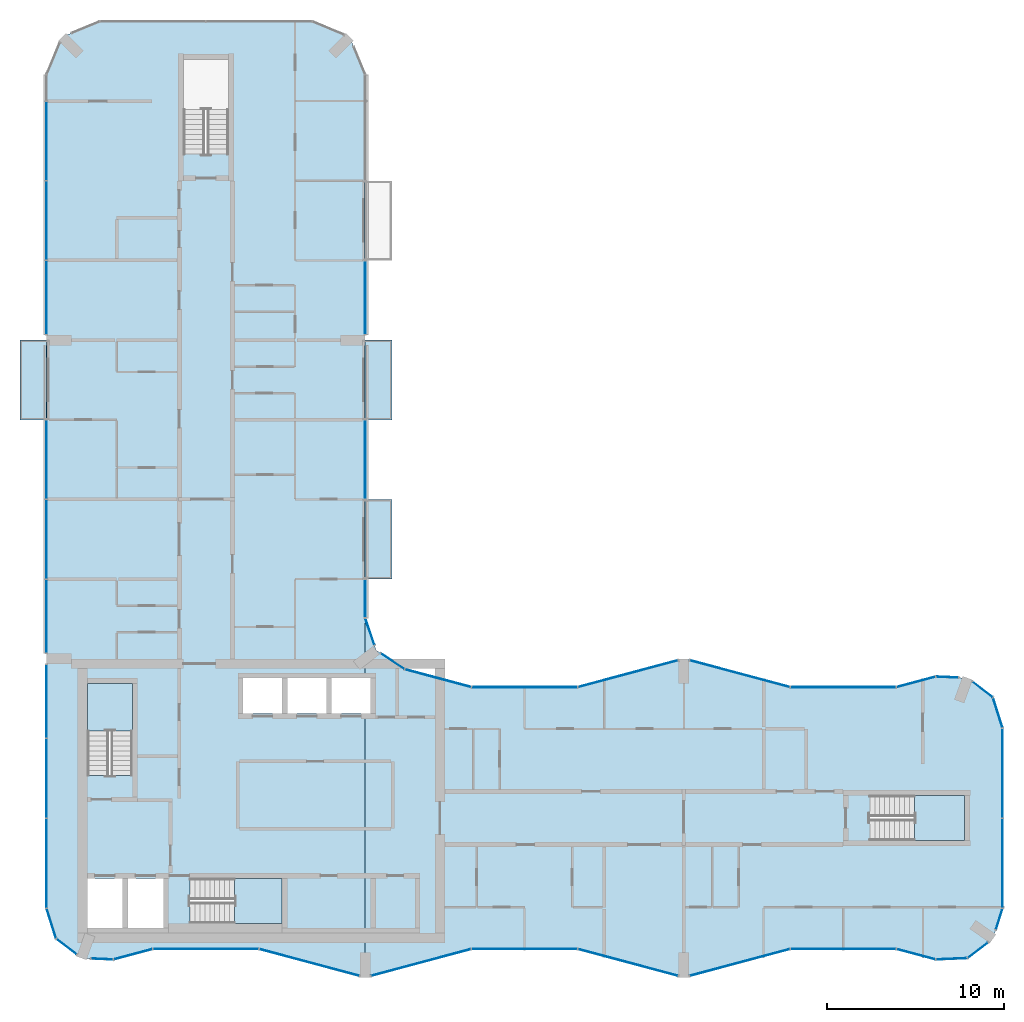
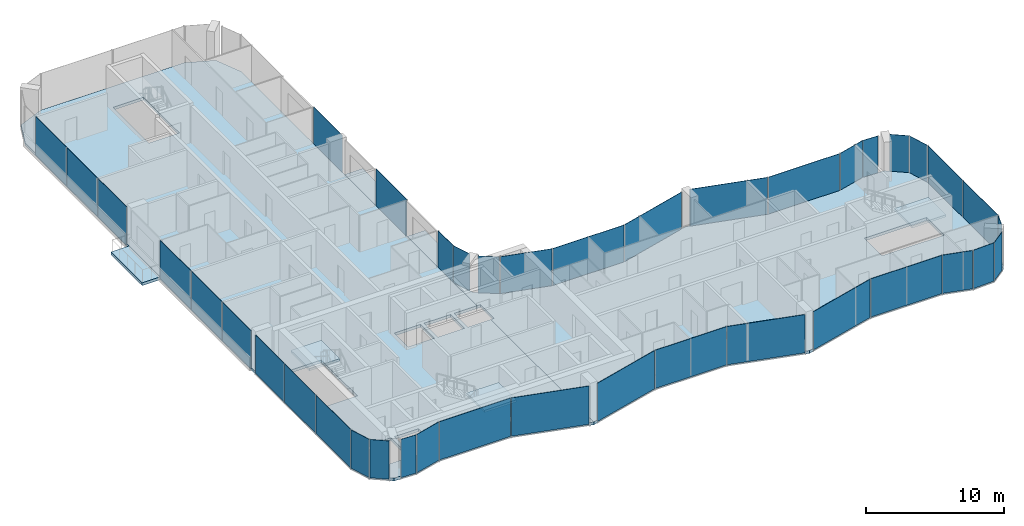
# One storey, part 8 of 15: 40 plates, 8 slabs, 36 elements without a shape of their own.
"""IFC4 building model written with IfcOpenShell, lengths in metres."""

from ifc_helpers import new_model, si_unit, direction, frame, origin, origin_2d, place, context, subcontext, project, spatial, polyline, rectangle, outline, extrude, material, layer, layer_set, type_object, element, aggregate, save


model = new_model("IFC4")

# Units and contexts
model_context = context("Model", 3, precision=1e-05, world=origin(), true_north=direction((0.0, 1.0)))
body_context = subcontext(model_context, "Body", "Model", "MODEL_VIEW")
ifc_project = project(units=[si_unit("LENGTHUNIT", "METRE"), si_unit("AREAUNIT", "SQUARE_METRE"), si_unit("VOLUMEUNIT", "CUBIC_METRE"), si_unit("PLANEANGLEUNIT", "RADIAN"), si_unit("MASSUNIT", "GRAM", prefix="KILO")], contexts=[model_context])

# Site, building, storey
site_placement = place(None, origin())
site = spatial("IfcSite", under=ifc_project, at=site_placement, CompositionType="ELEMENT")
building_placement = place(site_placement, origin())
building = spatial("IfcBuilding", under=site, at=building_placement, Name="Plateau Cross Towers", CompositionType="ELEMENT")
storey_placement = place(building_placement, frame((0.0, 0.0, 208.39990234375)))
storey = spatial("IfcBuildingStorey", under=building, at=storey_placement, Name="L54", CompositionType="ELEMENT", Elevation=208.39990234375)

# Slabs
ifc_material_1 = material(Name="Concrete C40/50", Category="concrete")
ifc_layer_1 = layer(ifc_material_1, 0.25)
ifc_layer_set_1 = layer_set([ifc_layer_1], Name="Concrete C40/50")
slab_type_1 = type_object("IfcSlabType", Name="Balcony slab 250", PredefinedType="FLOOR", material=ifc_layer_set_1)
slab_1_placement = place(storey_placement, frame((0.0, 0.0, -0.25)))
element("IfcSlab", 1, at=slab_1_placement, inside=storey, type_object=slab_type_1, Name="Balcony slab A-BAL-L54-01", PredefinedType="FLOOR", context=body_context, shape_type="SweptSolid", body=[
    extrude(outline(polyline([(0.0, 31.5), (0.0, 36.0), (-1.5, 36.0), (-1.5, 31.5), (0.0, 31.5)])), origin(), (0.0, 0.0, 1.0), 0.25),
])
slab_2_placement = place(storey_placement, frame((0.0, 0.0, -0.25)))
element("IfcSlab", 2, at=slab_2_placement, inside=storey, type_object=slab_type_1, Name="Balcony slab A-BAL-L54-02", PredefinedType="FLOOR", context=body_context, shape_type="SweptSolid", body=[
    extrude(outline(polyline([(19.5, 22.5), (19.5, 27.0), (18.0, 27.0), (18.0, 22.5), (19.5, 22.5)])), origin(), (0.0, 0.0, 1.0), 0.25),
])
slab_3_placement = place(storey_placement, frame((0.0, 0.0, -0.25)))
element("IfcSlab", 3, at=slab_3_placement, inside=storey, type_object=slab_type_1, Name="Balcony slab A-BAL-L54-03", PredefinedType="FLOOR", context=body_context, shape_type="SweptSolid", body=[
    extrude(outline(polyline([(19.5, 31.5), (19.5, 36.0), (18.0, 36.0), (18.0, 31.5), (19.5, 31.5)])), origin(), (0.0, 0.0, 1.0), 0.25),
])

# Curtain wall, plate
ifc_material_2 = material(Name="Dark low-iron glass", Category="glass")
ifc_layer_2 = layer(ifc_material_2, 0.239990234375)
ifc_layer_set_2 = layer_set([ifc_layer_2], Name="Dark low-iron glass")
curtain_wall_type_1 = type_object("IfcCurtainWallType", Name="Curtain wall flush unitised CW-B", PredefinedType="NOTDEFINED", material=ifc_layer_set_2)
curtain_wall_1_placement = place(storey_placement, origin())
curtain_wall_1 = element("IfcCurtainWall", 4, at=curtain_wall_1_placement, inside=storey, type_object=curtain_wall_type_1, Name="ENV/A/L54/A502_10", PredefinedType="NOTDEFINED")
ifc_layer_3 = layer(ifc_material_2, 0.031982421875)
ifc_layer_set_3 = layer_set([ifc_layer_3], Name="Dark low-iron glass")
plate_type_1 = type_object("IfcPlateType", Name="Glass panel 32 flush unitised", PredefinedType="CURTAIN_PANEL", material=ifc_layer_set_3)
plate_1_placement = place(storey_placement, frame((51.125, 1.05078125, -0.1298828125), z_axis=(0.0, 0.0, 1.0), x_axis=(0.999043701491, 0.043722791671, 0.0)))
plate_1 = element("IfcPlate", 5, at=plate_1_placement, type_object=plate_type_1, Name="CW-B panel 1", PredefinedType="CURTAIN_PANEL", context=body_context, shape_type="SweptSolid", body=[
    extrude(rectangle(XDim=1.744140625, YDim=0.031982421875, at=origin_2d()), origin(), (0.0, 0.0, 1.0), 3.3798828125),
])
aggregate(curtain_wall_1, [plate_1])

curtain_wall_2_placement = place(storey_placement, origin())
curtain_wall_2 = element("IfcCurtainWall", 6, at=curtain_wall_2_placement, inside=storey, type_object=curtain_wall_type_1, Name="ENV/A/L54/A520_11", PredefinedType="NOTDEFINED")
plate_2_placement = place(storey_placement, frame((52.60986328125, 1.5380859375, -0.1298828125), z_axis=(0.0, 0.0, 1.0), x_axis=(0.793315514529, 0.608810721331, 0.0)))
plate_2 = element("IfcPlate", 7, at=plate_2_placement, type_object=plate_type_1, Name="CW-B panel 1", PredefinedType="CURTAIN_PANEL", context=body_context, shape_type="SweptSolid", body=[
    extrude(rectangle(XDim=1.41162109375, YDim=0.031982421875, at=origin_2d()), origin(), (0.0, 0.0, 1.0), 3.3798828125),
])
aggregate(curtain_wall_2, [plate_2])

curtain_wall_3_placement = place(storey_placement, origin())
curtain_wall_3 = element("IfcCurtainWall", 8, at=curtain_wall_3_placement, inside=storey, type_object=curtain_wall_type_1, Name="ENV/A/L54/A536_27", PredefinedType="NOTDEFINED")
plate_3_placement = place(storey_placement, frame((53.805419921875, 3.292236328125, -0.1298828125), z_axis=(0.0, 0.0, 1.0), x_axis=(0.300686174994, 0.95372313811, 0.0)))
plate_3 = element("IfcPlate", 9, at=plate_3_placement, type_object=plate_type_1, Name="CW-B panel 1", PredefinedType="CURTAIN_PANEL", context=body_context, shape_type="SweptSolid", body=[
    extrude(rectangle(XDim=1.233642578125, YDim=0.031982421875, at=origin_2d()), origin(), (0.0, 0.0, 1.0), 3.3798828125),
])
aggregate(curtain_wall_3, [plate_3])

# Curtain wall, plates
curtain_wall_4_placement = place(storey_placement, origin())
curtain_wall_4 = element("IfcCurtainWall", 10, at=curtain_wall_4_placement, inside=storey, type_object=curtain_wall_type_1, Name="ENV/A/L54/A540_39", PredefinedType="NOTDEFINED")
plate_4_placement = place(storey_placement, frame((54.0, 6.45458984375, -0.1298828125), z_axis=(0.0, 0.0, 1.0), x_axis=(0.0, 1.0, 0.0)))
plate_4 = element("IfcPlate", 11, at=plate_4_placement, type_object=plate_type_1, Name="CW-B panel 1", PredefinedType="CURTAIN_PANEL", context=body_context, shape_type="SweptSolid", body=[
    extrude(rectangle(XDim=5.03076171875, YDim=0.031982421875, at=origin_2d()), origin(), (0.0, 0.0, 1.0), 3.3798828125),
])
plate_5_placement = place(storey_placement, frame((54.0, 11.54541015625, -0.1298828125), z_axis=(0.0, 0.0, 1.0), x_axis=(0.0, 1.0, 0.0)))
plate_5 = element("IfcPlate", 12, at=plate_5_placement, type_object=plate_type_1, Name="CW-B panel 2", PredefinedType="CURTAIN_PANEL", context=body_context, shape_type="SweptSolid", body=[
    extrude(rectangle(XDim=5.03076171875, YDim=0.031982421875, at=origin_2d()), origin(), (0.0, 0.0, 1.0), 3.3798828125),
])
aggregate(curtain_wall_4, [plate_4, plate_5])

# Curtain wall, plate
curtain_wall_5_placement = place(storey_placement, origin())
curtain_wall_5 = element("IfcCurtainWall", 13, at=curtain_wall_5_placement, inside=storey, type_object=curtain_wall_type_1, Name="ENV/A/L54/A540_141", PredefinedType="NOTDEFINED")
plate_6_placement = place(storey_placement, frame((53.728759765625, 14.951171875, -0.1298828125), z_axis=(0.0, 0.0, 1.0), x_axis=(-0.300686174994, 0.95372313811, 0.0)))
plate_6 = element("IfcPlate", 14, at=plate_6_placement, type_object=plate_type_1, Name="CW-B panel 1", PredefinedType="CURTAIN_PANEL", context=body_context, shape_type="SweptSolid", body=[
    extrude(rectangle(XDim=1.744140625, YDim=0.031982421875, at=origin_2d()), origin(), (0.0, 0.0, 1.0), 3.3798828125),
])
aggregate(curtain_wall_5, [plate_6])

curtain_wall_6_placement = place(storey_placement, origin())
curtain_wall_6 = element("IfcCurtainWall", 15, at=curtain_wall_6_placement, inside=storey, type_object=curtain_wall_type_1, Name="ENV/A/L54/A535_158", PredefinedType="NOTDEFINED")
plate_7_placement = place(storey_placement, frame((52.873779296875, 16.25927734375, -0.1298828125), z_axis=(0.0, 0.0, 1.0), x_axis=(-0.793315514529, 0.608810721331, 0.0)))
plate_7 = element("IfcPlate", 16, at=plate_7_placement, type_object=plate_type_1, Name="CW-B panel 1", PredefinedType="CURTAIN_PANEL", context=body_context, shape_type="SweptSolid", body=[
    extrude(rectangle(XDim=1.41162109375, YDim=0.031982421875, at=origin_2d()), origin(), (0.0, 0.0, 1.0), 3.3798828125),
])
aggregate(curtain_wall_6, [plate_7])

curtain_wall_7_placement = place(storey_placement, origin())
curtain_wall_7 = element("IfcCurtainWall", 17, at=curtain_wall_7_placement, inside=storey, type_object=curtain_wall_type_1, Name="ENV/A/L54/A515_169", PredefinedType="NOTDEFINED")
plate_8_placement = place(storey_placement, frame((50.8701171875, 16.96044921875, -0.1298828125), z_axis=(0.0, 0.0, 1.0), x_axis=(-0.999043701491, 0.043722791671, 0.0)))
plate_8 = element("IfcPlate", 18, at=plate_8_placement, type_object=plate_type_1, Name="CW-B panel 1", PredefinedType="CURTAIN_PANEL", context=body_context, shape_type="SweptSolid", body=[
    extrude(rectangle(XDim=1.233642578125, YDim=0.031982421875, at=origin_2d()), origin(), (0.0, 0.0, 1.0), 3.3798828125),
])
aggregate(curtain_wall_7, [plate_8])

curtain_wall_8_placement = place(storey_placement, origin())
curtain_wall_8 = element("IfcCurtainWall", 19, at=curtain_wall_8_placement, inside=storey, type_object=curtain_wall_type_1, Name="ENV/A/L54/A202_174", PredefinedType="NOTDEFINED")
plate_9_placement = place(storey_placement, frame((19.546630859375, 17.856689453125, -0.1298828125), z_axis=(0.0, 0.0, 1.0), x_axis=(-0.831521253329, 0.555492938984, 0.0)))
plate_9 = element("IfcPlate", 20, at=plate_9_placement, type_object=plate_type_1, Name="CW-B panel 1", PredefinedType="CURTAIN_PANEL", context=body_context, shape_type="SweptSolid", body=[
    extrude(rectangle(XDim=1.56884765625, YDim=0.031982421875, at=origin_2d()), origin(), (0.0, 0.0, 1.0), 3.3798828125),
])
aggregate(curtain_wall_8, [plate_9])

curtain_wall_9_placement = place(storey_placement, origin())
curtain_wall_9 = element("IfcCurtainWall", 21, at=curtain_wall_9_placement, inside=storey, type_object=curtain_wall_type_1, Name="ENV/A/L54/A185_188", PredefinedType="NOTDEFINED")
plate_10_placement = place(storey_placement, frame((18.26171875, 19.531005859375, -0.1298828125), z_axis=(0.0, 0.0, 1.0), x_axis=(-0.321469161574, 0.94692004845, 0.0)))
plate_10 = element("IfcPlate", 22, at=plate_10_placement, type_object=plate_type_1, Name="CW-B panel 1", PredefinedType="CURTAIN_PANEL", context=body_context, shape_type="SweptSolid", body=[
    extrude(rectangle(XDim=1.56884765625, YDim=0.031982421875, at=origin_2d()), origin(), (0.0, 0.0, 1.0), 3.3798828125),
])
aggregate(curtain_wall_9, [plate_10])

curtain_wall_10_placement = place(storey_placement, origin())
curtain_wall_10 = element("IfcCurtainWall", 23, at=curtain_wall_10_placement, inside=storey, type_object=curtain_wall_type_1, Name="ENV/A/L54/A180_203", PredefinedType="NOTDEFINED")
plate_11_placement = place(storey_placement, frame((18.0, 21.396240234375, -0.1298828125), z_axis=(0.0, 0.0, 1.0), x_axis=(0.0, 1.0, 0.0)))
plate_11 = element("IfcPlate", 24, at=plate_11_placement, type_object=plate_type_1, Name="CW-B panel 1", PredefinedType="CURTAIN_PANEL", context=body_context, shape_type="SweptSolid", body=[
    extrude(rectangle(XDim=2.127685546875, YDim=0.031982421875, at=origin_2d()), origin(), (0.0, 0.0, 1.0), 3.3798828125),
])
aggregate(curtain_wall_10, [plate_11])

curtain_wall_11_placement = place(storey_placement, origin())
curtain_wall_11 = element("IfcCurtainWall", 25, at=curtain_wall_11_placement, inside=storey, type_object=curtain_wall_type_1, Name="ENV/A/L54/A180_270", PredefinedType="NOTDEFINED")
plate_12_placement = place(storey_placement, frame((18.0, 29.25, -0.1298828125), z_axis=(0.0, 0.0, 1.0), x_axis=(0.0, 1.0, 0.0)))
plate_12 = element("IfcPlate", 26, at=plate_12_placement, type_object=plate_type_1, Name="CW-B panel 1", PredefinedType="CURTAIN_PANEL", context=body_context, shape_type="SweptSolid", body=[
    extrude(rectangle(XDim=4.419921875, YDim=0.031982421875, at=origin_2d()), origin(), (0.0, 0.0, 1.0), 3.3798828125),
])
aggregate(curtain_wall_11, [plate_12])

curtain_wall_12_placement = place(storey_placement, origin())
curtain_wall_12 = element("IfcCurtainWall", 27, at=curtain_wall_12_placement, inside=storey, type_object=curtain_wall_type_1, Name="ENV/A/L54/A180_363", PredefinedType="NOTDEFINED")
plate_13_placement = place(storey_placement, frame((18.0, 38.39501953125, -0.1298828125), z_axis=(0.0, 0.0, 1.0), x_axis=(0.0, 1.0, 0.0)))
plate_13 = element("IfcPlate", 28, at=plate_13_placement, type_object=plate_type_1, Name="CW-B panel 1", PredefinedType="CURTAIN_PANEL", context=body_context, shape_type="SweptSolid", body=[
    extrude(rectangle(XDim=4.1298828125, YDim=0.031982421875, at=origin_2d()), origin(), (0.0, 0.0, 1.0), 3.3798828125),
])
aggregate(curtain_wall_12, [plate_13])

# Curtain wall, plates
curtain_wall_13_placement = place(storey_placement, origin())
curtain_wall_13 = element("IfcCurtainWall", 29, at=curtain_wall_13_placement, inside=storey, type_object=curtain_wall_type_1, Name="ENV/A/L54/A0_510", PredefinedType="NOTDEFINED")
plate_14_placement = place(storey_placement, frame((0.0, 47.25, -0.1298828125), z_axis=(0.0, 0.0, 1.0), x_axis=(0.0, -1.0, 0.0)))
plate_14 = element("IfcPlate", 30, at=plate_14_placement, type_object=plate_type_1, Name="CW-B panel 2", PredefinedType="CURTAIN_PANEL", context=body_context, shape_type="SweptSolid", body=[
    extrude(rectangle(XDim=4.43994140625, YDim=0.031982421875, at=origin_2d()), origin(), (0.0, 0.0, 1.0), 3.3798828125),
])
plate_15_placement = place(storey_placement, frame((0.0, 42.75, -0.1298828125), z_axis=(0.0, 0.0, 1.0), x_axis=(0.0, -1.0, 0.0)))
plate_15 = element("IfcPlate", 31, at=plate_15_placement, type_object=plate_type_1, Name="CW-B panel 3", PredefinedType="CURTAIN_PANEL", context=body_context, shape_type="SweptSolid", body=[
    extrude(rectangle(XDim=4.43994140625, YDim=0.031982421875, at=origin_2d()), origin(), (0.0, 0.0, 1.0), 3.3798828125),
])
plate_16_placement = place(storey_placement, frame((0.0, 38.39990234375, -0.1298828125), z_axis=(0.0, 0.0, 1.0), x_axis=(0.0, -1.0, 0.0)))
plate_16 = element("IfcPlate", 32, at=plate_16_placement, type_object=plate_type_1, Name="CW-B panel 4", PredefinedType="CURTAIN_PANEL", context=body_context, shape_type="SweptSolid", body=[
    extrude(rectangle(XDim=4.139892578125, YDim=0.031982421875, at=origin_2d()), origin(), (0.0, 0.0, 1.0), 3.3798828125),
])
aggregate(curtain_wall_13, [plate_14, plate_15, plate_16])

curtain_wall_14_placement = place(storey_placement, origin())
curtain_wall_14 = element("IfcCurtainWall", 33, at=curtain_wall_14_placement, inside=storey, type_object=curtain_wall_type_1, Name="ENV/A/L54/A0_315", PredefinedType="NOTDEFINED")
plate_17_placement = place(storey_placement, frame((0.0, 29.2451171875, -0.1298828125), z_axis=(0.0, 0.0, 1.0), x_axis=(0.0, -1.0, 0.0)))
plate_17 = element("IfcPlate", 34, at=plate_17_placement, type_object=plate_type_1, Name="CW-B panel 1", PredefinedType="CURTAIN_PANEL", context=body_context, shape_type="SweptSolid", body=[
    extrude(rectangle(XDim=4.429931640625, YDim=0.031982421875, at=origin_2d()), origin(), (0.0, 0.0, 1.0), 3.3798828125),
])
plate_18_placement = place(storey_placement, frame((0.0, 24.75, -0.1298828125), z_axis=(0.0, 0.0, 1.0), x_axis=(0.0, -1.0, 0.0)))
plate_18 = element("IfcPlate", 35, at=plate_18_placement, type_object=plate_type_1, Name="CW-B panel 2", PredefinedType="CURTAIN_PANEL", context=body_context, shape_type="SweptSolid", body=[
    extrude(rectangle(XDim=4.43994140625, YDim=0.031982421875, at=origin_2d()), origin(), (0.0, 0.0, 1.0), 3.3798828125),
])
plate_19_placement = place(storey_placement, frame((0.0, 20.39990234375, -0.1298828125), z_axis=(0.0, 0.0, 1.0), x_axis=(0.0, -1.0, 0.0)))
plate_19 = element("IfcPlate", 36, at=plate_19_placement, type_object=plate_type_1, Name="CW-B panel 3", PredefinedType="CURTAIN_PANEL", context=body_context, shape_type="SweptSolid", body=[
    extrude(rectangle(XDim=4.139892578125, YDim=0.031982421875, at=origin_2d()), origin(), (0.0, 0.0, 1.0), 3.3798828125),
])
aggregate(curtain_wall_14, [plate_17, plate_18, plate_19])

curtain_wall_15_placement = place(storey_placement, origin())
curtain_wall_15 = element("IfcCurtainWall", 37, at=curtain_wall_15_placement, inside=storey, type_object=curtain_wall_type_1, Name="ENV/A/L54/A0_177", PredefinedType="NOTDEFINED")
plate_20_placement = place(storey_placement, frame((0.0, 15.60009765625, -0.1298828125), z_axis=(0.0, 0.0, 1.0), x_axis=(0.0, -1.0, 0.0)))
plate_20 = element("IfcPlate", 38, at=plate_20_placement, type_object=plate_type_1, Name="CW-B panel 1", PredefinedType="CURTAIN_PANEL", context=body_context, shape_type="SweptSolid", body=[
    extrude(rectangle(XDim=4.139892578125, YDim=0.031982421875, at=origin_2d()), origin(), (0.0, 0.0, 1.0), 3.3798828125),
])
plate_21_placement = place(storey_placement, frame((0.0, 11.25, -0.1298828125), z_axis=(0.0, 0.0, 1.0), x_axis=(0.0, -1.0, 0.0)))
plate_21 = element("IfcPlate", 39, at=plate_21_placement, type_object=plate_type_1, Name="CW-B panel 2", PredefinedType="CURTAIN_PANEL", context=body_context, shape_type="SweptSolid", body=[
    extrude(rectangle(XDim=4.43994140625, YDim=0.031982421875, at=origin_2d()), origin(), (0.0, 0.0, 1.0), 3.3798828125),
])
plate_22_placement = place(storey_placement, frame((0.0, 6.45458984375, -0.1298828125), z_axis=(0.0, 0.0, 1.0), x_axis=(0.0, -1.0, 0.0)))
plate_22 = element("IfcPlate", 40, at=plate_22_placement, type_object=plate_type_1, Name="CW-B panel 3", PredefinedType="CURTAIN_PANEL", context=body_context, shape_type="SweptSolid", body=[
    extrude(rectangle(XDim=5.03076171875, YDim=0.031982421875, at=origin_2d()), origin(), (0.0, 0.0, 1.0), 3.3798828125),
])
aggregate(curtain_wall_15, [plate_20, plate_21, plate_22])

# Curtain wall, plate
curtain_wall_16_placement = place(storey_placement, origin())
curtain_wall_16 = element("IfcCurtainWall", 41, at=curtain_wall_16_placement, inside=storey, type_object=curtain_wall_type_1, Name="ENV/A/L54/A0_39", PredefinedType="NOTDEFINED")
plate_23_placement = place(storey_placement, frame((0.271240234375, 3.048828125, -0.1298828125), z_axis=(0.0, 0.0, 1.0), x_axis=(0.300686174994, -0.95372313811, 0.0)))
plate_23 = element("IfcPlate", 42, at=plate_23_placement, type_object=plate_type_1, Name="CW-B panel 1", PredefinedType="CURTAIN_PANEL", context=body_context, shape_type="SweptSolid", body=[
    extrude(rectangle(XDim=1.744140625, YDim=0.031982421875, at=origin_2d()), origin(), (0.0, 0.0, 1.0), 3.3798828125),
])
aggregate(curtain_wall_16, [plate_23])

curtain_wall_17_placement = place(storey_placement, origin())
curtain_wall_17 = element("IfcCurtainWall", 43, at=curtain_wall_17_placement, inside=storey, type_object=curtain_wall_type_1, Name="ENV/A/L54/A5_22", PredefinedType="NOTDEFINED")
plate_24_placement = place(storey_placement, frame((1.126220703125, 1.74072265625, -0.1298828125), z_axis=(0.0, 0.0, 1.0), x_axis=(0.793315514529, -0.608810721331, 0.0)))
plate_24 = element("IfcPlate", 44, at=plate_24_placement, type_object=plate_type_1, Name="CW-B panel 1", PredefinedType="CURTAIN_PANEL", context=body_context, shape_type="SweptSolid", body=[
    extrude(rectangle(XDim=1.41162109375, YDim=0.031982421875, at=origin_2d()), origin(), (0.0, 0.0, 1.0), 3.3798828125),
])
aggregate(curtain_wall_17, [plate_24])

curtain_wall_18_placement = place(storey_placement, origin())
curtain_wall_18 = element("IfcCurtainWall", 45, at=curtain_wall_18_placement, inside=storey, type_object=curtain_wall_type_1, Name="ENV/A/L54/A25_11", PredefinedType="NOTDEFINED")
plate_25_placement = place(storey_placement, frame((3.1298828125, 1.03955078125, -0.1298828125), z_axis=(0.0, 0.0, 1.0), x_axis=(0.999043701491, -0.043722791671, 0.0)))
plate_25 = element("IfcPlate", 46, at=plate_25_placement, type_object=plate_type_1, Name="CW-B panel 1", PredefinedType="CURTAIN_PANEL", context=body_context, shape_type="SweptSolid", body=[
    extrude(rectangle(XDim=1.233642578125, YDim=0.031982421875, at=origin_2d()), origin(), (0.0, 0.0, 1.0), 3.3798828125),
])
aggregate(curtain_wall_18, [plate_25])

ifc_layer_4 = layer(ifc_material_2, 0.260009765625)
ifc_layer_set_4 = layer_set([ifc_layer_4], Name="Dark low-iron glass")
curtain_wall_type_2 = type_object("IfcCurtainWallType", Name="Curtain wall fluted unitised CW-A", PredefinedType="NOTDEFINED", material=ifc_layer_set_4)
curtain_wall_19_placement = place(storey_placement, origin())
curtain_wall_19 = element("IfcCurtainWall", 47, at=curtain_wall_19_placement, inside=storey, type_object=curtain_wall_type_2, Name="ENV/A/L54/A38_10", PredefinedType="NOTDEFINED")
ifc_layer_5 = layer(ifc_material_2, 0.035888671875)
ifc_layer_set_5 = layer_set([ifc_layer_5], Name="Dark low-iron glass")
plate_type_2 = type_object("IfcPlateType", Name="Glass panel 36 fluted unitised", PredefinedType="CURTAIN_PANEL", material=ifc_layer_set_5)
plate_26_placement = place(storey_placement, frame((4.887939453125, 1.30908203125, -0.1298828125), z_axis=(0.0, 0.0, 1.0), x_axis=(0.965957962328, 0.258699081978, 0.0)))
plate_26 = element("IfcPlate", 48, at=plate_26_placement, type_object=plate_type_2, Name="CW-A panel 1", PredefinedType="CURTAIN_PANEL", context=body_context, shape_type="SweptSolid", body=[
    extrude(rectangle(XDim=2.2421875, YDim=0.035888671875, at=origin_2d()), origin(), (0.0, 0.0, 1.0), 3.3798828125),
])
aggregate(curtain_wall_19, [plate_26])

curtain_wall_20_placement = place(storey_placement, origin())
curtain_wall_20 = element("IfcCurtainWall", 49, at=curtain_wall_20_placement, inside=storey, type_object=curtain_wall_type_2, Name="ENV/A/L54/A60_16", PredefinedType="NOTDEFINED")
plate_27_placement = place(storey_placement, frame((9.0, 1.60693359375, -0.1298828125), z_axis=(0.0, 0.0, 1.0), x_axis=(1.0, 0.0, 0.0)))
plate_27 = element("IfcPlate", 50, at=plate_27_placement, type_object=plate_type_2, Name="CW-A panel 1", PredefinedType="CURTAIN_PANEL", context=body_context, shape_type="SweptSolid", body=[
    extrude(rectangle(XDim=5.93994140625, YDim=0.035888671875, at=origin_2d()), origin(), (0.0, 0.0, 1.0), 3.3798828125),
])
aggregate(curtain_wall_20, [plate_27])

curtain_wall_21_placement = place(storey_placement, origin())
curtain_wall_21 = element("IfcCurtainWall", 51, at=curtain_wall_21_placement, inside=storey, type_object=curtain_wall_type_2, Name="ENV/A/L54/A120_16", PredefinedType="NOTDEFINED")
plate_28_placement = place(storey_placement, frame((14.841064453125, 0.845947265625, -0.1298828125), z_axis=(0.0, 0.0, 1.0), x_axis=(0.965957983404, -0.258699003279, 0.0)))
plate_28 = element("IfcPlate", 52, at=plate_28_placement, type_object=plate_type_2, Name="CW-A panel 1", PredefinedType="CURTAIN_PANEL", context=body_context, shape_type="SweptSolid", body=[
    extrude(rectangle(XDim=5.822265625, YDim=0.035888671875, at=origin_2d()), origin(), (0.0, 0.0, 1.0), 3.3798828125),
])
aggregate(curtain_wall_21, [plate_28])

curtain_wall_22_placement = place(storey_placement, origin())
curtain_wall_22 = element("IfcCurtainWall", 53, at=curtain_wall_22_placement, inside=storey, type_object=curtain_wall_type_2, Name="ENV/A/L54/A183_1", PredefinedType="NOTDEFINED")
plate_29_placement = place(storey_placement, frame((21.158935546875, 0.845947265625, -0.1298828125), z_axis=(0.0, 0.0, 1.0), x_axis=(0.965957983404, 0.258699003279, 0.0)))
plate_29 = element("IfcPlate", 54, at=plate_29_placement, type_object=plate_type_2, Name="CW-A panel 1", PredefinedType="CURTAIN_PANEL", context=body_context, shape_type="SweptSolid", body=[
    extrude(rectangle(XDim=5.822265625, YDim=0.035888671875, at=origin_2d()), origin(), (0.0, 0.0, 1.0), 3.3798828125),
])
aggregate(curtain_wall_22, [plate_29])

curtain_wall_23_placement = place(storey_placement, origin())
curtain_wall_23 = element("IfcCurtainWall", 55, at=curtain_wall_23_placement, inside=storey, type_object=curtain_wall_type_2, Name="ENV/A/L54/A240_16", PredefinedType="NOTDEFINED")
plate_30_placement = place(storey_placement, frame((27.0, 1.60693359375, -0.1298828125), z_axis=(0.0, 0.0, 1.0), x_axis=(1.0, 0.0, 0.0)))
plate_30 = element("IfcPlate", 56, at=plate_30_placement, type_object=plate_type_2, Name="CW-A panel 1", PredefinedType="CURTAIN_PANEL", context=body_context, shape_type="SweptSolid", body=[
    extrude(rectangle(XDim=5.93994140625, YDim=0.035888671875, at=origin_2d()), origin(), (0.0, 0.0, 1.0), 3.3798828125),
])
aggregate(curtain_wall_23, [plate_30])

curtain_wall_24_placement = place(storey_placement, origin())
curtain_wall_24 = element("IfcCurtainWall", 57, at=curtain_wall_24_placement, inside=storey, type_object=curtain_wall_type_2, Name="ENV/A/L54/A300_16", PredefinedType="NOTDEFINED")
plate_31_placement = place(storey_placement, frame((32.841064453125, 0.845947265625, -0.1298828125), z_axis=(0.0, 0.0, 1.0), x_axis=(0.965957983404, -0.258699003279, 0.0)))
plate_31 = element("IfcPlate", 58, at=plate_31_placement, type_object=plate_type_2, Name="CW-A panel 1", PredefinedType="CURTAIN_PANEL", context=body_context, shape_type="SweptSolid", body=[
    extrude(rectangle(XDim=5.822265625, YDim=0.035888671875, at=origin_2d()), origin(), (0.0, 0.0, 1.0), 3.3798828125),
])
aggregate(curtain_wall_24, [plate_31])

curtain_wall_25_placement = place(storey_placement, origin())
curtain_wall_25 = element("IfcCurtainWall", 59, at=curtain_wall_25_placement, inside=storey, type_object=curtain_wall_type_2, Name="ENV/A/L54/A363_1", PredefinedType="NOTDEFINED")
plate_32_placement = place(storey_placement, frame((39.158935546875, 0.845947265625, -0.1298828125), z_axis=(0.0, 0.0, 1.0), x_axis=(0.965957983404, 0.258699003279, 0.0)))
plate_32 = element("IfcPlate", 60, at=plate_32_placement, type_object=plate_type_2, Name="CW-A panel 1", PredefinedType="CURTAIN_PANEL", context=body_context, shape_type="SweptSolid", body=[
    extrude(rectangle(XDim=5.822265625, YDim=0.035888671875, at=origin_2d()), origin(), (0.0, 0.0, 1.0), 3.3798828125),
])
aggregate(curtain_wall_25, [plate_32])

curtain_wall_26_placement = place(storey_placement, origin())
curtain_wall_26 = element("IfcCurtainWall", 61, at=curtain_wall_26_placement, inside=storey, type_object=curtain_wall_type_2, Name="ENV/A/L54/A420_16", PredefinedType="NOTDEFINED")
plate_33_placement = place(storey_placement, frame((45.0, 1.60693359375, -0.1298828125), z_axis=(0.0, 0.0, 1.0), x_axis=(1.0, 0.0, 0.0)))
plate_33 = element("IfcPlate", 62, at=plate_33_placement, type_object=plate_type_2, Name="CW-A panel 1", PredefinedType="CURTAIN_PANEL", context=body_context, shape_type="SweptSolid", body=[
    extrude(rectangle(XDim=5.93994140625, YDim=0.035888671875, at=origin_2d()), origin(), (0.0, 0.0, 1.0), 3.3798828125),
])
aggregate(curtain_wall_26, [plate_33])

curtain_wall_27_placement = place(storey_placement, origin())
curtain_wall_27 = element("IfcCurtainWall", 63, at=curtain_wall_27_placement, inside=storey, type_object=curtain_wall_type_2, Name="ENV/A/L54/A480_16", PredefinedType="NOTDEFINED")
plate_34_placement = place(storey_placement, frame((49.112060546875, 1.30908203125, -0.1298828125), z_axis=(0.0, 0.0, 1.0), x_axis=(0.965957962328, -0.258699081978, 0.0)))
plate_34 = element("IfcPlate", 64, at=plate_34_placement, type_object=plate_type_2, Name="CW-A panel 1", PredefinedType="CURTAIN_PANEL", context=body_context, shape_type="SweptSolid", body=[
    extrude(rectangle(XDim=2.2421875, YDim=0.035888671875, at=origin_2d()), origin(), (0.0, 0.0, 1.0), 3.3798828125),
])
aggregate(curtain_wall_27, [plate_34])

curtain_wall_28_placement = place(storey_placement, origin())
curtain_wall_28 = element("IfcCurtainWall", 65, at=curtain_wall_28_placement, inside=storey, type_object=curtain_wall_type_2, Name="ENV/A/L54/A502_170", PredefinedType="NOTDEFINED")
plate_35_placement = place(storey_placement, frame((49.112060546875, 16.69091796875, -0.1298828125), z_axis=(0.0, 0.0, 1.0), x_axis=(-0.965957962328, -0.258699081978, 0.0)))
plate_35 = element("IfcPlate", 66, at=plate_35_placement, type_object=plate_type_2, Name="CW-A panel 1", PredefinedType="CURTAIN_PANEL", context=body_context, shape_type="SweptSolid", body=[
    extrude(rectangle(XDim=2.2421875, YDim=0.035888671875, at=origin_2d()), origin(), (0.0, 0.0, 1.0), 3.3798828125),
])
aggregate(curtain_wall_28, [plate_35])

curtain_wall_29_placement = place(storey_placement, origin())
curtain_wall_29 = element("IfcCurtainWall", 67, at=curtain_wall_29_placement, inside=storey, type_object=curtain_wall_type_2, Name="ENV/A/L54/A480_164", PredefinedType="NOTDEFINED")
plate_36_placement = place(storey_placement, frame((45.0, 16.39306640625, -0.1298828125), z_axis=(0.0, 0.0, 1.0), x_axis=(-1.0, 0.0, 0.0)))
plate_36 = element("IfcPlate", 68, at=plate_36_placement, type_object=plate_type_2, Name="CW-A panel 1", PredefinedType="CURTAIN_PANEL", context=body_context, shape_type="SweptSolid", body=[
    extrude(rectangle(XDim=5.93994140625, YDim=0.035888671875, at=origin_2d()), origin(), (0.0, 0.0, 1.0), 3.3798828125),
])
aggregate(curtain_wall_29, [plate_36])

curtain_wall_30_placement = place(storey_placement, origin())
curtain_wall_30 = element("IfcCurtainWall", 69, at=curtain_wall_30_placement, inside=storey, type_object=curtain_wall_type_2, Name="ENV/A/L54/A420_164", PredefinedType="NOTDEFINED")
plate_37_placement = place(storey_placement, frame((39.158935546875, 17.154052734375, -0.1298828125), z_axis=(0.0, 0.0, 1.0), x_axis=(-0.965957983404, 0.258699003279, 0.0)))
plate_37 = element("IfcPlate", 70, at=plate_37_placement, type_object=plate_type_2, Name="CW-A panel 1", PredefinedType="CURTAIN_PANEL", context=body_context, shape_type="SweptSolid", body=[
    extrude(rectangle(XDim=5.822265625, YDim=0.035888671875, at=origin_2d()), origin(), (0.0, 0.0, 1.0), 3.3798828125),
])
aggregate(curtain_wall_30, [plate_37])

curtain_wall_31_placement = place(storey_placement, origin())
curtain_wall_31 = element("IfcCurtainWall", 71, at=curtain_wall_31_placement, inside=storey, type_object=curtain_wall_type_2, Name="ENV/A/L54/A357_179", PredefinedType="NOTDEFINED")
plate_38_placement = place(storey_placement, frame((32.841064453125, 17.154052734375, -0.1298828125), z_axis=(0.0, 0.0, 1.0), x_axis=(-0.965957983404, -0.258699003279, 0.0)))
plate_38 = element("IfcPlate", 72, at=plate_38_placement, type_object=plate_type_2, Name="CW-A panel 1", PredefinedType="CURTAIN_PANEL", context=body_context, shape_type="SweptSolid", body=[
    extrude(rectangle(XDim=5.822265625, YDim=0.035888671875, at=origin_2d()), origin(), (0.0, 0.0, 1.0), 3.3798828125),
])
aggregate(curtain_wall_31, [plate_38])

curtain_wall_32_placement = place(storey_placement, origin())
curtain_wall_32 = element("IfcCurtainWall", 73, at=curtain_wall_32_placement, inside=storey, type_object=curtain_wall_type_2, Name="ENV/A/L54/A300_164", PredefinedType="NOTDEFINED")
plate_39_placement = place(storey_placement, frame((27.0, 16.39306640625, -0.1298828125), z_axis=(0.0, 0.0, 1.0), x_axis=(-1.0, 0.0, 0.0)))
plate_39 = element("IfcPlate", 74, at=plate_39_placement, type_object=plate_type_2, Name="CW-A panel 1", PredefinedType="CURTAIN_PANEL", context=body_context, shape_type="SweptSolid", body=[
    extrude(rectangle(XDim=5.93994140625, YDim=0.035888671875, at=origin_2d()), origin(), (0.0, 0.0, 1.0), 3.3798828125),
])
aggregate(curtain_wall_32, [plate_39])

curtain_wall_33_placement = place(storey_placement, origin())
curtain_wall_33 = element("IfcCurtainWall", 75, at=curtain_wall_33_placement, inside=storey, type_object=curtain_wall_type_2, Name="ENV/A/L54/A240_164", PredefinedType="NOTDEFINED")
plate_40_placement = place(storey_placement, frame((22.112060546875, 16.898681640625, -0.1298828125), z_axis=(0.0, 0.0, 1.0), x_axis=(-0.965957995816, 0.258698956933, 0.0)))
plate_40 = element("IfcPlate", 76, at=plate_40_placement, type_object=plate_type_2, Name="CW-A panel 1", PredefinedType="CURTAIN_PANEL", context=body_context, shape_type="SweptSolid", body=[
    extrude(rectangle(XDim=3.84912109375, YDim=0.035888671875, at=origin_2d()), origin(), (0.0, 0.0, 1.0), 3.3798828125),
])
aggregate(curtain_wall_33, [plate_40])

# Slabs
ifc_layer_6 = layer(ifc_material_1, 0.25)
ifc_layer_set_6 = layer_set([ifc_layer_6], Name="Concrete C40/50")
slab_type_2 = type_object("IfcSlabType", Name="Post-tensioned flat plate slab 250", PredefinedType="FLOOR", material=ifc_layer_set_6)
slab_4_placement = place(storey_placement, frame((0.0, 0.0, -0.25)))
element("IfcSlab", 77, at=slab_4_placement, inside=storey, type_object=slab_type_2, Name="SL-A-L54 1", PredefinedType="FLOOR", context=body_context, shape_type="SweptSolid", body=[
    extrude(outline(polyline([(0.54248046875, 2.1884765625), (0.0, 3.9091796875), (0.0, 51.0), (0.878662109375, 53.121337890625), (3.0, 54.0), (15.0, 54.0), (17.121337890625, 53.121337890625), (18.0, 51.0), (18.0, 20.30224609375), (18.0, 16.89990234375), (16.10009765625, 16.89990234375), (16.10009765625, 14.89990234375), (18.0, 14.89990234375), (18.0, 0.0), (12.0, 1.60693359375), (6.0, 1.60693359375), (3.776123046875, 1.01123046875), (1.9736328125, 1.090087890625), (0.54248046875, 2.1884765625)]), holes=[polyline([(2.300048828125, 5.60009765625), (2.300048828125, 2.800048828125), (4.300048828125, 2.800048828125), (4.300048828125, 5.60009765625), (2.300048828125, 5.60009765625)]), polyline([(4.60009765625, 5.60009765625), (4.60009765625, 2.800048828125), (6.60009765625, 2.800048828125), (6.60009765625, 5.60009765625), (4.60009765625, 5.60009765625)]), polyline([(8.10009765625, 5.60009765625), (8.10009765625, 3.050048828125), (13.300048828125, 3.050048828125), (13.300048828125, 5.60009765625), (8.10009765625, 5.60009765625)]), polyline([(2.300048828125, 11.39990234375), (4.85009765625, 11.39990234375), (4.85009765625, 16.60009765625), (2.300048828125, 16.60009765625), (2.300048828125, 11.39990234375)]), polyline([(11.10009765625, 16.89990234375), (11.10009765625, 14.89990234375), (13.300048828125, 14.89990234375), (13.300048828125, 16.89990234375), (11.10009765625, 16.89990234375)]), polyline([(13.60009765625, 16.89990234375), (13.60009765625, 14.89990234375), (15.800048828125, 14.89990234375), (15.800048828125, 16.89990234375), (13.60009765625, 16.89990234375)]), polyline([(7.72509765625, 51.699951171875), (7.72509765625, 46.5), (10.27490234375, 46.5), (10.27490234375, 51.699951171875), (7.72509765625, 51.699951171875)])]), origin(), (0.0, 0.0, 1.0), 0.25),
])
slab_5_placement = place(storey_placement, frame((0.0, 0.0, -0.25)))
element("IfcSlab", 78, at=slab_5_placement, inside=storey, type_object=slab_type_2, Name="SL-A-L54 2", PredefinedType="FLOOR", context=body_context, shape_type="SweptSolid", body=[
    extrude(outline(polyline([(18.6201171875, 18.475830078125), (20.223876953125, 17.404296875), (24.0, 16.39306640625), (30.0, 16.39306640625), (36.0, 18.0), (42.0, 16.39306640625), (48.0, 16.39306640625), (50.223876953125, 16.98876953125), (52.0263671875, 16.909912109375), (53.45751953125, 15.8115234375), (54.0, 14.0908203125), (54.0, 3.9091796875), (53.45751953125, 2.1884765625), (52.0263671875, 1.090087890625), (50.223876953125, 1.01123046875), (48.0, 1.60693359375), (42.0, 1.60693359375), (36.0, 0.0), (30.0, 1.60693359375), (24.0, 1.60693359375), (18.0, 0.0), (18.0, 14.89990234375), (18.300048828125, 14.89990234375), (18.300048828125, 16.89990234375), (18.0, 16.89990234375), (18.0, 20.30224609375), (18.6201171875, 18.475830078125)]), holes=[polyline([(46.5, 10.27490234375), (46.5, 7.72509765625), (51.699951171875, 7.72509765625), (51.699951171875, 10.27490234375), (46.5, 10.27490234375)])]), origin(), (0.0, 0.0, 1.0), 0.25),
])

# Stair, slab
stair_type = type_object("IfcStairType", Name="ST-TWR", PredefinedType="HALF_TURN_STAIR", material=ifc_material_1)
stair_1_placement = place(storey_placement, origin())
stair_1 = element("IfcStair", 79, at=stair_1_placement, inside=storey, type_object=stair_type, Name="L54 Protected Exit Stair ST-1", PredefinedType="HALF_TURN_STAIR")
ifc_layer_7 = layer(ifc_material_1, 0.199951171875)
ifc_layer_set_7 = layer_set([ifc_layer_7], Name="Concrete C40/50")
slab_type_3 = type_object("IfcSlabType", Name="SL-LANDING", PredefinedType="LANDING", material=ifc_layer_set_7)
slab_6_placement = place(storey_placement, frame((0.0, 0.0, 1.550048828125)))
slab_6 = element("IfcSlab", 80, at=slab_6_placement, type_object=slab_type_3, Name="ST-1 landing 1", PredefinedType="LANDING", context=body_context, shape_type="SweptSolid", body=[
    extrude(outline(polyline([(4.85009765625, 13.919921875), (4.85009765625, 16.60009765625), (2.300048828125, 16.60009765625), (2.300048828125, 13.919921875), (4.85009765625, 13.919921875)])), origin(), (0.0, 0.0, 1.0), 0.199951171875),
])
aggregate(stair_1, [slab_6])

stair_2_placement = place(storey_placement, origin())
stair_2 = element("IfcStair", 81, at=stair_2_placement, inside=storey, type_object=stair_type, Name="L54 Protected Exit Stair ST-2", PredefinedType="HALF_TURN_STAIR")
slab_7_placement = place(storey_placement, frame((0.0, 0.0, 1.550048828125)))
slab_7 = element("IfcSlab", 82, at=slab_7_placement, type_object=slab_type_3, Name="ST-2 landing 1", PredefinedType="LANDING", context=body_context, shape_type="SweptSolid", body=[
    extrude(outline(polyline([(10.6201171875, 3.050048828125), (13.300048828125, 3.050048828125), (13.300048828125, 5.60009765625), (10.6201171875, 5.60009765625), (10.6201171875, 3.050048828125)])), origin(), (0.0, 0.0, 1.0), 0.199951171875),
])
aggregate(stair_2, [slab_7])

stair_3_placement = place(storey_placement, origin())
stair_3 = element("IfcStair", 83, at=stair_3_placement, inside=storey, type_object=stair_type, Name="L54 Protected Exit Stair E", PredefinedType="HALF_TURN_STAIR")
slab_8_placement = place(storey_placement, frame((0.0, 0.0, 1.550048828125)))
slab_8 = element("IfcSlab", 84, at=slab_8_placement, type_object=slab_type_3, Name="ES-E landing 1", PredefinedType="LANDING", context=body_context, shape_type="SweptSolid", body=[
    extrude(outline(polyline([(49.02001953125, 7.72509765625), (51.85009765625, 7.72509765625), (51.85009765625, 10.27490234375), (49.02001953125, 10.27490234375), (49.02001953125, 7.72509765625)])), origin(), (0.0, 0.0, 1.0), 0.199951171875),
])
aggregate(stair_3, [slab_8])

save(model, "model.ifc")
